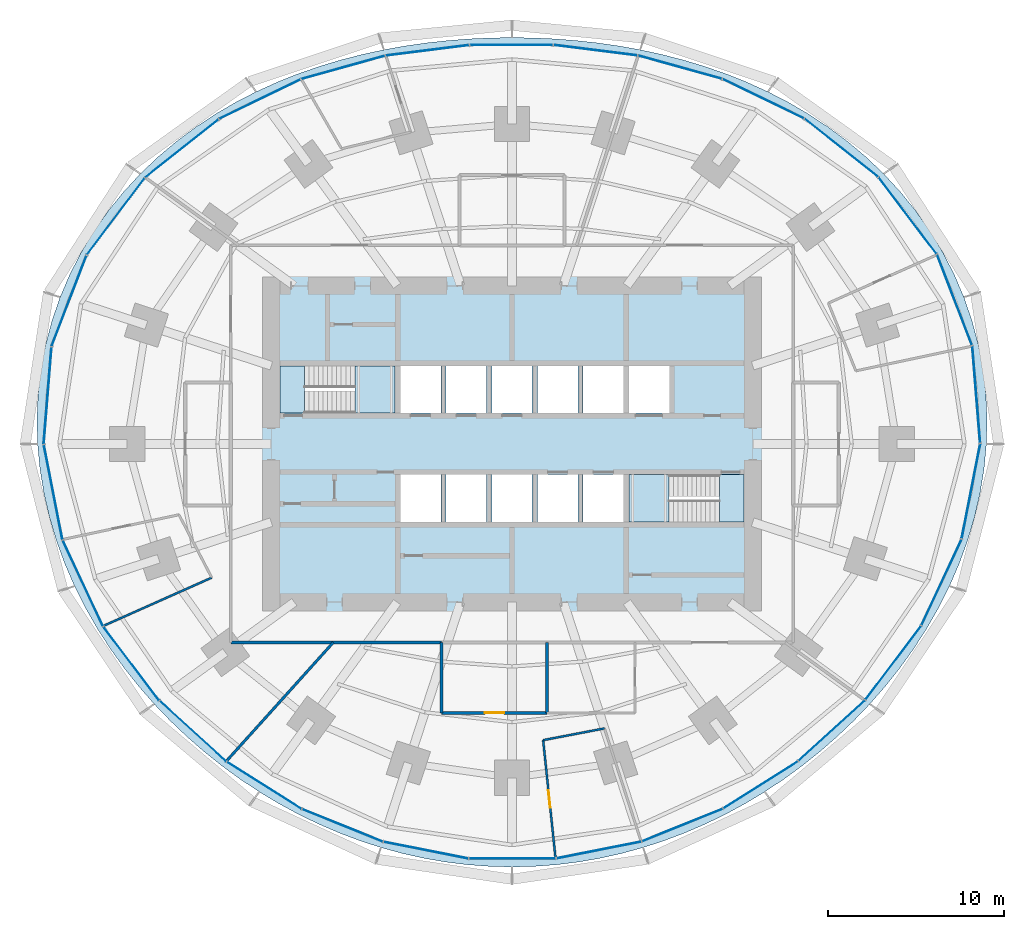
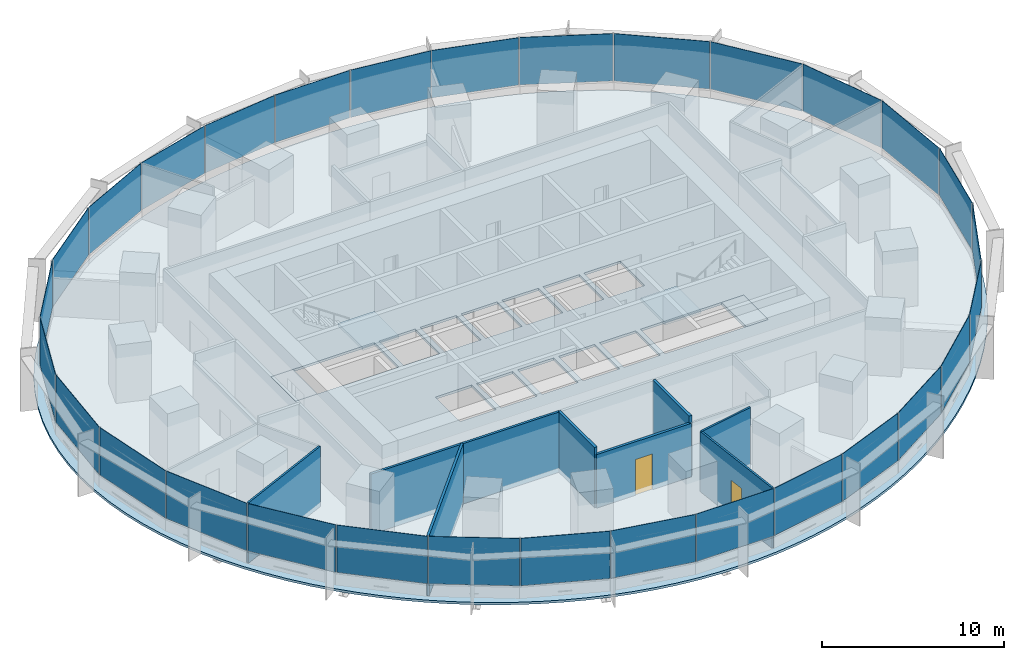
# One storey, part 10 of 15: 30 plates, 8 walls, 5 slabs, 2 doors, 2 openings, 8 elements without a shape of their own.
"""IFC4 building model written with IfcOpenShell, lengths in metres."""

from ifc_helpers import new_model, si_unit, direction, frame, frame_2d, origin, origin_2d, place, context, subcontext, project, spatial, polyline, rectangle, outline, extrude, material, layer, layer_set, type_object, element, fill, aggregate, save


model = new_model("IFC4")

# Units and contexts
model_context = context("Model", 3, precision=1e-05, world=origin(), true_north=direction((0.0, 1.0)))
body_context = subcontext(model_context, "Body", "Model", "MODEL_VIEW")
ifc_project = project(units=[si_unit("LENGTHUNIT", "METRE"), si_unit("AREAUNIT", "SQUARE_METRE"), si_unit("VOLUMEUNIT", "CUBIC_METRE"), si_unit("PLANEANGLEUNIT", "RADIAN"), si_unit("MASSUNIT", "GRAM", prefix="KILO")], contexts=[model_context])

# Site, building, storey
site_placement = place(None, origin())
site = spatial("IfcSite", under=ifc_project, at=site_placement, CompositionType="ELEMENT")
building_placement = place(site_placement, origin())
building = spatial("IfcBuilding", under=site, at=building_placement, Name="Marramba Exchange Tower", CompositionType="ELEMENT")
storey_placement = place(building_placement, frame((0.0, 0.0, 70.0)))
storey = spatial("IfcBuildingStorey", under=building, at=storey_placement, Name="L16", CompositionType="ELEMENT", Elevation=70.0)

# Slab
ifc_material_1 = material(Name="Concrete N40", Category="concrete")
ifc_layer_1 = layer(ifc_material_1, 0.159912109375)
ifc_layer_set_1 = layer_set([ifc_layer_1], Name="Composite floor slab 160")
slab_type_1 = type_object("IfcSlabType", Name="Composite floor slab 160", PredefinedType="FLOOR", material=ifc_layer_set_1)
slab_1_placement = place(storey_placement, frame((0.0, 0.0, -0.159912109375)))
element("IfcSlab", 1, at=slab_1_placement, inside=storey, type_object=slab_type_1, Name="Floor slab L16", PredefinedType="FLOOR", context=body_context, shape_type="SweptSolid", body=[
    extrude(outline(polyline([(27.0, 0.0), (27.035888671875, 1.4169921875), (26.97265625, 2.8349609375), (26.80859375, 4.24609375), (26.5439453125, 5.64208984375), (26.179443359375, 7.0146484375), (25.717529296875, 8.356201171875), (25.16162109375, 9.65869140625), (24.516357421875, 10.915283203125), (23.786865234375, 12.1201171875), (22.9794921875, 13.267333984375), (22.10107421875, 14.3525390625), (21.158447265625, 15.37255859375), (20.159423828125, 16.32470703125), (19.11083984375, 17.20751953125), (18.020263671875, 18.020263671875), (16.89453125, 18.763427734375), (15.740478515625, 19.437744140625), (14.563720703125, 20.04541015625), (13.3701171875, 20.588134765625), (12.164306640625, 21.069091796875), (10.9501953125, 21.4912109375), (9.7314453125, 21.857421875), (8.5107421875, 22.1708984375), (7.289794921875, 22.435302734375), (6.06982421875, 22.6533203125), (4.85205078125, 22.827392578125), (3.636474609375, 22.96044921875), (2.423095703125, 23.053955078125), (1.211181640625, 23.109619140625), (0.0, 23.1279296875), (-1.211181640625, 23.109619140625), (-2.423095703125, 23.053955078125), (-3.636474609375, 22.96044921875), (-4.85205078125, 22.827392578125), (-6.06982421875, 22.6533203125), (-7.289794921875, 22.435302734375), (-8.5107421875, 22.1708984375), (-9.7314453125, 21.857421875), (-10.9501953125, 21.4912109375), (-12.164306640625, 21.069091796875), (-13.3701171875, 20.588134765625), (-14.563720703125, 20.04541015625), (-15.740478515625, 19.437744140625), (-16.89453125, 18.763427734375), (-18.020263671875, 18.020263671875), (-19.11083984375, 17.20751953125), (-20.159423828125, 16.32470703125), (-21.158447265625, 15.37255859375), (-22.10107421875, 14.3525390625), (-22.9794921875, 13.267333984375), (-23.786865234375, 12.1201171875), (-24.516357421875, 10.915283203125), (-25.16162109375, 9.65869140625), (-25.717529296875, 8.356201171875), (-26.179443359375, 7.0146484375), (-26.5439453125, 5.64208984375), (-26.80859375, 4.24609375), (-26.97265625, 2.8349609375), (-27.035888671875, 1.4169921875), (-27.0, 0.0), (-26.8671875, -1.407958984375), (-26.64111328125, -2.800048828125), (-26.326171875, -4.169677734375), (-25.927001953125, -5.510986328125), (-25.44921875, -6.819091796875), (-24.8984375, -8.090087890625), (-24.280517578125, -9.320556640625), (-23.60107421875, -10.5078125), (-22.865234375, -11.650390625), (-22.078369140625, -12.7470703125), (-21.244873046875, -13.796630859375), (-20.36865234375, -14.798583984375), (-19.453369140625, -15.753173828125), (-18.502197265625, -16.659423828125), (-17.517578125, -17.517578125), (-16.501953125, -18.327392578125), (-15.457275390625, -19.088134765625), (-14.385009765625, -19.799072265625), (-13.286865234375, -20.459716796875), (-12.164306640625, -21.069091796875), (-11.01904296875, -21.6259765625), (-9.8525390625, -22.129150390625), (-8.66650390625, -22.577392578125), (-7.463134765625, -22.968994140625), (-6.244140625, -23.30322265625), (-5.01171875, -23.578369140625), (-3.7685546875, -23.793701171875), (-2.51708984375, -23.947998046875), (-1.260009765625, -24.041015625), (0.0, -24.072021484375), (1.260009765625, -24.041015625), (2.51708984375, -23.947998046875), (3.7685546875, -23.793701171875), (5.01171875, -23.578369140625), (6.244140625, -23.30322265625), (7.463134765625, -22.968994140625), (8.66650390625, -22.577392578125), (9.8525390625, -22.129150390625), (11.01904296875, -21.6259765625), (12.164306640625, -21.069091796875), (13.286865234375, -20.459716796875), (14.385009765625, -19.799072265625), (15.457275390625, -19.088134765625), (16.501953125, -18.327392578125), (17.517578125, -17.517578125), (18.502197265625, -16.659423828125), (19.453369140625, -15.753173828125), (20.36865234375, -14.798583984375), (21.244873046875, -13.796630859375), (22.078369140625, -12.7470703125), (22.865234375, -11.650390625), (23.60107421875, -10.5078125), (24.280517578125, -9.320556640625), (24.8984375, -8.090087890625), (25.44921875, -6.819091796875), (25.927001953125, -5.510986328125), (26.326171875, -4.169677734375), (26.64111328125, -2.800048828125), (26.8671875, -1.407958984375), (27.0, 0.0)]), holes=[polyline([(-6.35009765625, 1.75), (-4.050048828125, 1.75), (-4.050048828125, 4.449951171875), (-6.35009765625, 4.449951171875), (-6.35009765625, 1.75)]), polyline([(-3.75, 1.75), (-1.449951171875, 1.75), (-1.449951171875, 4.449951171875), (-3.75, 4.449951171875), (-3.75, 1.75)]), polyline([(-1.14990234375, 1.75), (1.14990234375, 1.75), (1.14990234375, 4.449951171875), (-1.14990234375, 4.449951171875), (-1.14990234375, 1.75)]), polyline([(1.449951171875, 1.75), (3.75, 1.75), (3.75, 4.449951171875), (1.449951171875, 4.449951171875), (1.449951171875, 1.75)]), polyline([(4.050048828125, 1.75), (6.35009765625, 1.75), (6.35009765625, 4.449951171875), (4.050048828125, 4.449951171875), (4.050048828125, 1.75)]), polyline([(-6.35009765625, -4.449951171875), (-4.050048828125, -4.449951171875), (-4.050048828125, -1.75), (-6.35009765625, -1.75), (-6.35009765625, -4.449951171875)]), polyline([(-3.75, -4.449951171875), (-1.449951171875, -4.449951171875), (-1.449951171875, -1.75), (-3.75, -1.75), (-3.75, -4.449951171875)]), polyline([(-1.14990234375, -4.449951171875), (1.14990234375, -4.449951171875), (1.14990234375, -1.75), (-1.14990234375, -1.75), (-1.14990234375, -4.449951171875)]), polyline([(1.449951171875, -4.449951171875), (3.75, -4.449951171875), (3.75, -1.75), (1.449951171875, -1.75), (1.449951171875, -4.449951171875)]), polyline([(4.050048828125, -4.449951171875), (6.35009765625, -4.449951171875), (6.35009765625, -1.75), (4.050048828125, -1.75), (4.050048828125, -4.449951171875)]), polyline([(6.64990234375, 1.75), (8.949951171875, 1.75), (8.949951171875, 4.449951171875), (6.64990234375, 4.449951171875), (6.64990234375, 1.75)]), polyline([(-13.199951171875, 1.75), (-6.64990234375, 1.75), (-6.64990234375, 4.449951171875), (-13.199951171875, 4.449951171875), (-13.199951171875, 1.75)]), polyline([(6.64990234375, -4.449951171875), (13.199951171875, -4.449951171875), (13.199951171875, -1.75), (6.64990234375, -1.75), (6.64990234375, -4.449951171875)])]), origin(), (0.0, 0.0, 1.0), 0.159912109375),
])

# Stair, slabs
ifc_material_2 = material(Name="Concrete N40 (40 MPa)", Category="concrete")
stair_type_1 = type_object("IfcStairType", Name="Exit stair ST1 4200 x 1250", PredefinedType="HALF_TURN_STAIR", material=ifc_material_2)
stair_1_placement = place(storey_placement, origin())
stair_1 = element("IfcStair", 2, at=stair_1_placement, inside=storey, type_object=stair_type_1, Name="Exit stair ST1 L16", PredefinedType="HALF_TURN_STAIR")
ifc_layer_2 = layer(ifc_material_2, 0.199951171875)
ifc_layer_set_2 = layer_set([ifc_layer_2], Name="Stair landing 200")
slab_type_2 = type_object("IfcSlabType", Name="Stair landing 200", PredefinedType="LANDING", material=ifc_layer_set_2)
slab_2_placement = place(storey_placement, frame((0.0, 0.0, -0.199951171875)))
slab_2 = element("IfcSlab", 3, at=slab_2_placement, type_object=slab_type_2, Name="ST1 landing 1", PredefinedType="LANDING", context=body_context, shape_type="SweptSolid", body=[
    extrude(outline(polyline([(-13.199951171875, 1.75), (-11.800048828125, 1.75), (-11.800048828125, 4.449951171875), (-13.199951171875, 4.449951171875), (-13.199951171875, 1.75)])), origin(), (0.0, 0.0, 1.0), 0.199951171875),
])
slab_3_placement = place(storey_placement, frame((0.0, 0.0, 1.89990234375)))
slab_3 = element("IfcSlab", 4, at=slab_3_placement, type_object=slab_type_2, Name="ST1 landing 2", PredefinedType="LANDING", context=body_context, shape_type="SweptSolid", body=[
    extrude(outline(polyline([(-8.93994140625, 1.75), (-6.64990234375, 1.75), (-6.64990234375, 4.449951171875), (-8.93994140625, 4.449951171875), (-8.93994140625, 1.75)])), origin(), (0.0, 0.0, 1.0), 0.2001953125),
])
aggregate(stair_1, [slab_2, slab_3])

stair_type_2 = type_object("IfcStairType", Name="Exit stair ST2 4200 x 1250", PredefinedType="HALF_TURN_STAIR", material=ifc_material_2)
stair_2_placement = place(storey_placement, origin())
stair_2 = element("IfcStair", 5, at=stair_2_placement, inside=storey, type_object=stair_type_2, Name="Exit stair ST2 L16", PredefinedType="HALF_TURN_STAIR")
slab_4_placement = place(storey_placement, frame((0.0, 0.0, -0.199951171875)))
slab_4 = element("IfcSlab", 6, at=slab_4_placement, type_object=slab_type_2, Name="ST2 landing 1", PredefinedType="LANDING", context=body_context, shape_type="SweptSolid", body=[
    extrude(outline(polyline([(11.800048828125, -4.449951171875), (13.199951171875, -4.449951171875), (13.199951171875, -1.75), (11.800048828125, -1.75), (11.800048828125, -4.449951171875)])), origin(), (0.0, 0.0, 1.0), 0.199951171875),
])
slab_5_placement = place(storey_placement, frame((0.0, 0.0, 1.89990234375)))
slab_5 = element("IfcSlab", 7, at=slab_5_placement, type_object=slab_type_2, Name="ST2 landing 2", PredefinedType="LANDING", context=body_context, shape_type="SweptSolid", body=[
    extrude(outline(polyline([(6.64990234375, -4.449951171875), (8.93994140625, -4.449951171875), (8.93994140625, -1.75), (6.64990234375, -1.75), (6.64990234375, -4.449951171875)])), origin(), (0.0, 0.0, 1.0), 0.2001953125),
])
aggregate(stair_2, [slab_4, slab_5])

# Curtain wall, plates
ifc_material_3 = material(Name="Aluminium framing, bronze anodised", Category="aluminium")
curtain_wall_type = type_object("IfcCurtainWallType", Name="Trading floor ribbon curtain wall", PredefinedType="USERDEFINED", material=ifc_material_3)
curtain_wall_1_placement = place(storey_placement, origin())
curtain_wall_1 = element("IfcCurtainWall", 8, at=curtain_wall_1_placement, inside=storey, type_object=curtain_wall_type, Name="Curtain wall CW3 L16 F01-F05", ObjectType="RIBBON CURTAIN WALL", PredefinedType="USERDEFINED")
ifc_material_4 = material(Name="Double glazed unit 10 + 12 + 8.76, bronze tinted", Category="glass")
ifc_layer_3 = layer(ifc_material_4, 0.03076171875)
ifc_layer_set_3 = layer_set([ifc_layer_3], Name="Trading floor ribbon curtain wall panel")
plate_type = type_object("IfcPlateType", Name="Trading floor ribbon curtain wall panel", PredefinedType="CURTAIN_PANEL", material=ifc_layer_set_3)
plate_1_placement = place(storey_placement, frame((26.42333984375, 2.814453125, 0.85986328125), z_axis=(0.0, 0.0, 1.0), x_axis=(-0.080275225953, 0.996772736434, 0.0)))
plate_1 = element("IfcPlate", 9, at=plate_1_placement, type_object=plate_type, Name="CW3 vision panel", PredefinedType="CURTAIN_PANEL", context=body_context, shape_type="SweptSolid", body=[
    extrude(rectangle(XDim=5.52734375, YDim=0.03076171875, at=origin_2d()), origin(), (0.0, 0.0, 1.0), 3.179931640625),
])
plate_2_placement = place(storey_placement, frame((25.188232421875, 8.19921875, 0.85986328125), z_axis=(0.0, 0.0, 1.0), x_axis=(-0.359525510698, 0.933135256626, 0.0)))
plate_2 = element("IfcPlate", 10, at=plate_2_placement, type_object=plate_type, Name="CW3 vision panel", PredefinedType="CURTAIN_PANEL", context=body_context, shape_type="SweptSolid", body=[
    extrude(rectangle(XDim=5.5166015625, YDim=0.03076171875, at=origin_2d()), origin(), (0.0, 0.0, 1.0), 3.179931640625),
])
plate_3_placement = place(storey_placement, frame((22.517822265625, 12.993896484375, 0.85986328125), z_axis=(0.0, 0.0, 1.0), x_axis=(-0.602989765036, 0.797748922445, 0.0)))
plate_3 = element("IfcPlate", 11, at=plate_3_placement, type_object=plate_type, Name="CW3 vision panel", PredefinedType="CURTAIN_PANEL", context=body_context, shape_type="SweptSolid", body=[
    extrude(rectangle(XDim=5.44775390625, YDim=0.03076171875, at=origin_2d()), origin(), (0.0, 0.0, 1.0), 3.179931640625),
])
plate_4_placement = place(storey_placement, frame((18.744384765625, 16.853759765625, 0.85986328125), z_axis=(0.0, 0.0, 1.0), x_axis=(-0.784087949432, 0.620649730166, 0.0)))
plate_4 = element("IfcPlate", 12, at=plate_4_placement, type_object=plate_type, Name="CW3 vision panel", PredefinedType="CURTAIN_PANEL", context=body_context, shape_type="SweptSolid", body=[
    extrude(rectangle(XDim=5.315673828125, YDim=0.03076171875, at=origin_2d()), origin(), (0.0, 0.0, 1.0), 3.179931640625),
])
plate_5_placement = place(storey_placement, frame((14.2978515625, 19.647705078125, 0.85986328125), z_axis=(0.0, 0.0, 1.0), x_axis=(-0.899963433508, 0.43596538664, 0.0)))
plate_5 = element("IfcPlate", 13, at=plate_5_placement, type_object=plate_type, Name="CW3 vision panel", PredefinedType="CURTAIN_PANEL", context=body_context, shape_type="SweptSolid", body=[
    extrude(rectangle(XDim=5.13037109375, YDim=0.03076171875, at=origin_2d()), origin(), (0.0, 0.0, 1.0), 3.179931640625),
])
aggregate(curtain_wall_1, [plate_1, plate_2, plate_3, plate_4, plate_5])

curtain_wall_2_placement = place(storey_placement, origin())
curtain_wall_2 = element("IfcCurtainWall", 14, at=curtain_wall_2_placement, inside=storey, type_object=curtain_wall_type, Name="Curtain wall CW3 L16 F06-F10", ObjectType="RIBBON CURTAIN WALL", PredefinedType="USERDEFINED")
plate_6_placement = place(storey_placement, frame((9.556396484375, 21.4423828125, 0.85986328125), z_axis=(0.0, 0.0, 1.0), x_axis=(-0.963472096649, 0.267808735815, 0.0)))
plate_6 = element("IfcPlate", 15, at=plate_6_placement, type_object=plate_type, Name="CW3 vision panel", PredefinedType="CURTAIN_PANEL", context=body_context, shape_type="SweptSolid", body=[
    extrude(rectangle(XDim=4.929931640625, YDim=0.03076171875, at=origin_2d()), origin(), (0.0, 0.0, 1.0), 3.179931640625),
])
plate_7_placement = place(storey_placement, frame((4.754150390625, 22.407958984375, 0.85986328125), z_axis=(0.0, 0.0, 1.0), x_axis=(-0.992172768738, 0.124872723099, 0.0)))
plate_7 = element("IfcPlate", 16, at=plate_7_placement, type_object=plate_type, Name="CW3 vision panel", PredefinedType="CURTAIN_PANEL", context=body_context, shape_type="SweptSolid", body=[
    extrude(rectangle(XDim=4.77294921875, YDim=0.03076171875, at=origin_2d()), origin(), (0.0, 0.0, 1.0), 3.179931640625),
])
plate_8_placement = place(storey_placement, frame((-0.030029296875, 22.7060546875, 0.85986328125), z_axis=(0.0, 0.0, 1.0), x_axis=(-1.0, 0.0, 0.0)))
plate_8 = element("IfcPlate", 17, at=plate_8_placement, type_object=plate_type, Name="CW3 vision panel", PredefinedType="CURTAIN_PANEL", context=body_context, shape_type="SweptSolid", body=[
    extrude(rectangle(XDim=4.712890625, YDim=0.03076171875, at=origin_2d()), origin(), (0.0, 0.0, 1.0), 3.179931640625),
])
plate_9_placement = place(storey_placement, frame((-4.813720703125, 22.400390625, 0.85986328125), z_axis=(0.0, 0.0, 1.0), x_axis=(-0.992172768738, -0.124872723099, 0.0)))
plate_9 = element("IfcPlate", 18, at=plate_9_placement, type_object=plate_type, Name="CW3 vision panel", PredefinedType="CURTAIN_PANEL", context=body_context, shape_type="SweptSolid", body=[
    extrude(rectangle(XDim=4.77294921875, YDim=0.03076171875, at=origin_2d()), origin(), (0.0, 0.0, 1.0), 3.179931640625),
])
plate_10_placement = place(storey_placement, frame((-9.6142578125, 21.42626953125, 0.85986328125), z_axis=(0.0, 0.0, 1.0), x_axis=(-0.963472096649, -0.267808735815, 0.0)))
plate_10 = element("IfcPlate", 19, at=plate_10_placement, type_object=plate_type, Name="CW3 vision panel", PredefinedType="CURTAIN_PANEL", context=body_context, shape_type="SweptSolid", body=[
    extrude(rectangle(XDim=4.929931640625, YDim=0.03076171875, at=origin_2d()), origin(), (0.0, 0.0, 1.0), 3.179931640625),
])
aggregate(curtain_wall_2, [plate_6, plate_7, plate_8, plate_9, plate_10])

curtain_wall_3_placement = place(storey_placement, origin())
curtain_wall_3 = element("IfcCurtainWall", 20, at=curtain_wall_3_placement, inside=storey, type_object=curtain_wall_type, Name="Curtain wall CW3 L16 F11-F15", ObjectType="RIBBON CURTAIN WALL", PredefinedType="USERDEFINED")
plate_11_placement = place(storey_placement, frame((-14.351806640625, 19.62158203125, 0.85986328125), z_axis=(0.0, 0.0, 1.0), x_axis=(-0.899963433508, -0.43596538664, 0.0)))
plate_11 = element("IfcPlate", 21, at=plate_11_placement, type_object=plate_type, Name="CW3 vision panel", PredefinedType="CURTAIN_PANEL", context=body_context, shape_type="SweptSolid", body=[
    extrude(rectangle(XDim=5.13037109375, YDim=0.03076171875, at=origin_2d()), origin(), (0.0, 0.0, 1.0), 3.179931640625),
])
plate_12_placement = place(storey_placement, frame((-18.79150390625, 16.81640625, 0.85986328125), z_axis=(0.0, 0.0, 1.0), x_axis=(-0.784087949432, -0.620649730166, 0.0)))
plate_12 = element("IfcPlate", 22, at=plate_12_placement, type_object=plate_type, Name="CW3 vision panel", PredefinedType="CURTAIN_PANEL", context=body_context, shape_type="SweptSolid", body=[
    extrude(rectangle(XDim=5.315673828125, YDim=0.03076171875, at=origin_2d()), origin(), (0.0, 0.0, 1.0), 3.179931640625),
])
plate_13_placement = place(storey_placement, frame((-22.553955078125, 12.946044921875, 0.85986328125), z_axis=(0.0, 0.0, 1.0), x_axis=(-0.602989765036, -0.797748922445, 0.0)))
plate_13 = element("IfcPlate", 23, at=plate_13_placement, type_object=plate_type, Name="CW3 vision panel", PredefinedType="CURTAIN_PANEL", context=body_context, shape_type="SweptSolid", body=[
    extrude(rectangle(XDim=5.44775390625, YDim=0.03076171875, at=origin_2d()), origin(), (0.0, 0.0, 1.0), 3.179931640625),
])
plate_14_placement = place(storey_placement, frame((-25.209716796875, 8.14306640625, 0.85986328125), z_axis=(0.0, 0.0, 1.0), x_axis=(-0.359525510698, -0.933135256626, 0.0)))
plate_14 = element("IfcPlate", 24, at=plate_14_placement, type_object=plate_type, Name="CW3 vision panel", PredefinedType="CURTAIN_PANEL", context=body_context, shape_type="SweptSolid", body=[
    extrude(rectangle(XDim=5.5166015625, YDim=0.03076171875, at=origin_2d()), origin(), (0.0, 0.0, 1.0), 3.179931640625),
])
plate_15_placement = place(storey_placement, frame((-26.42822265625, 2.754638671875, 0.85986328125), z_axis=(0.0, 0.0, 1.0), x_axis=(-0.080275225953, -0.996772736434, 0.0)))
plate_15 = element("IfcPlate", 25, at=plate_15_placement, type_object=plate_type, Name="CW3 vision panel", PredefinedType="CURTAIN_PANEL", context=body_context, shape_type="SweptSolid", body=[
    extrude(rectangle(XDim=5.52734375, YDim=0.03076171875, at=origin_2d()), origin(), (0.0, 0.0, 1.0), 3.179931640625),
])
aggregate(curtain_wall_3, [plate_11, plate_12, plate_13, plate_14, plate_15])

curtain_wall_4_placement = place(storey_placement, origin())
curtain_wall_4 = element("IfcCurtainWall", 26, at=curtain_wall_4_placement, inside=storey, type_object=curtain_wall_type, Name="Curtain wall CW3 L16 F16-F20", ObjectType="RIBBON CURTAIN WALL", PredefinedType="USERDEFINED")
plate_16_placement = place(storey_placement, frame((-26.111572265625, -2.74853515625, 0.85986328125), z_axis=(0.0, 0.0, 1.0), x_axis=(0.1922485756, -0.981346261612, 0.0)))
plate_16 = element("IfcPlate", 27, at=plate_16_placement, type_object=plate_type, Name="CW3 vision panel", PredefinedType="CURTAIN_PANEL", context=body_context, shape_type="SweptSolid", body=[
    extrude(rectangle(XDim=5.4814453125, YDim=0.03076171875, at=origin_2d()), origin(), (0.0, 0.0, 1.0), 3.179931640625),
])
plate_17_placement = place(storey_placement, frame((-24.420166015625, -7.928955078125, 0.85986328125), z_axis=(0.0, 0.0, 1.0), x_axis=(0.423477206492, -0.905906758768, 0.0)))
plate_17 = element("IfcPlate", 28, at=plate_17_placement, type_object=plate_type, Name="CW3 vision panel", PredefinedType="CURTAIN_PANEL", context=body_context, shape_type="SweptSolid", body=[
    extrude(rectangle(XDim=5.379150390625, YDim=0.03076171875, at=origin_2d()), origin(), (0.0, 0.0, 1.0), 3.179931640625),
])
plate_18_placement = place(storey_placement, frame((-21.665283203125, -12.503173828125, 0.85986328125), z_axis=(0.0, 0.0, 1.0), x_axis=(0.603040473588, -0.797710591138, 0.0)))
plate_18 = element("IfcPlate", 29, at=plate_18_placement, type_object=plate_type, Name="CW3 vision panel", PredefinedType="CURTAIN_PANEL", context=body_context, shape_type="SweptSolid", body=[
    extrude(rectangle(XDim=5.239501953125, YDim=0.03076171875, at=origin_2d()), origin(), (0.0, 0.0, 1.0), 3.179931640625),
])
plate_19_placement = place(storey_placement, frame((-18.154541015625, -16.350341796875, 0.85986328125), z_axis=(0.0, 0.0, 1.0), x_axis=(0.739589581463, -0.673058133441, 0.0)))
plate_19 = element("IfcPlate", 30, at=plate_19_placement, type_object=plate_type, Name="CW3 vision panel", PredefinedType="CURTAIN_PANEL", context=body_context, shape_type="SweptSolid", body=[
    extrude(rectangle(XDim=5.101806640625, YDim=0.03076171875, at=origin_2d()), origin(), (0.0, 0.0, 1.0), 3.179931640625),
])
plate_20_placement = place(storey_placement, frame((-14.103271484375, -19.4326171875, 0.85986328125), z_axis=(0.0, 0.0, 1.0), x_axis=(0.845790826298, -0.533514646612, 0.0)))
plate_20 = element("IfcPlate", 31, at=plate_20_placement, type_object=plate_type, Name="CW3 vision panel", PredefinedType="CURTAIN_PANEL", context=body_context, shape_type="SweptSolid", body=[
    extrude(rectangle(XDim=4.99853515625, YDim=0.03076171875, at=origin_2d()), origin(), (0.0, 0.0, 1.0), 3.179931640625),
])
aggregate(curtain_wall_4, [plate_16, plate_17, plate_18, plate_19, plate_20])

curtain_wall_5_placement = place(storey_placement, origin())
curtain_wall_5 = element("IfcCurtainWall", 32, at=curtain_wall_5_placement, inside=storey, type_object=curtain_wall_type, Name="Curtain wall CW3 L16 F21-F25", ObjectType="RIBBON CURTAIN WALL", PredefinedType="USERDEFINED")
plate_21_placement = place(storey_placement, frame((-9.644287109375, -21.71240234375, 0.85986328125), z_axis=(0.0, 0.0, 1.0), x_axis=(0.927340673283, -0.374218219325, 0.0)))
plate_21 = element("IfcPlate", 33, at=plate_21_placement, type_object=plate_type, Name="CW3 vision panel", PredefinedType="CURTAIN_PANEL", context=body_context, shape_type="SweptSolid", body=[
    extrude(rectangle(XDim=4.9375, YDim=0.03076171875, at=origin_2d()), origin(), (0.0, 0.0, 1.0), 3.179931640625),
])
plate_22_placement = place(storey_placement, frame((-4.88818359375, -23.1240234375, 0.85986328125), z_axis=(0.0, 0.0, 1.0), x_axis=(0.98100920064, -0.193961202977, 0.0)))
plate_22 = element("IfcPlate", 34, at=plate_22_placement, type_object=plate_type, Name="CW3 vision panel", PredefinedType="CURTAIN_PANEL", context=body_context, shape_type="SweptSolid", body=[
    extrude(rectangle(XDim=4.908935546875, YDim=0.03076171875, at=origin_2d()), origin(), (0.0, 0.0, 1.0), 3.179931640625),
])
plate_23_placement = place(storey_placement, frame((0.030029296875, -23.599853515625, 0.85986328125), z_axis=(0.0, 0.0, 1.0), x_axis=(1.0, 0.0, 0.0)))
plate_23 = element("IfcPlate", 35, at=plate_23_placement, type_object=plate_type, Name="CW3 vision panel", PredefinedType="CURTAIN_PANEL", context=body_context, shape_type="SweptSolid", body=[
    extrude(rectangle(XDim=4.90087890625, YDim=0.03076171875, at=origin_2d()), origin(), (0.0, 0.0, 1.0), 3.179931640625),
])
plate_24_placement = place(storey_placement, frame((4.947021484375, -23.1123046875, 0.85986328125), z_axis=(0.0, 0.0, 1.0), x_axis=(0.98100920064, 0.193961202977, 0.0)))
plate_24 = element("IfcPlate", 36, at=plate_24_placement, type_object=plate_type, Name="CW3 vision panel", PredefinedType="CURTAIN_PANEL", context=body_context, shape_type="SweptSolid", body=[
    extrude(rectangle(XDim=4.908935546875, YDim=0.03076171875, at=origin_2d()), origin(), (0.0, 0.0, 1.0), 3.179931640625),
])
plate_25_placement = place(storey_placement, frame((9.699951171875, -21.68994140625, 0.85986328125), z_axis=(0.0, 0.0, 1.0), x_axis=(0.927340673283, 0.374218219325, 0.0)))
plate_25 = element("IfcPlate", 37, at=plate_25_placement, type_object=plate_type, Name="CW3 vision panel", PredefinedType="CURTAIN_PANEL", context=body_context, shape_type="SweptSolid", body=[
    extrude(rectangle(XDim=4.9375, YDim=0.03076171875, at=origin_2d()), origin(), (0.0, 0.0, 1.0), 3.179931640625),
])
aggregate(curtain_wall_5, [plate_21, plate_22, plate_23, plate_24, plate_25])

curtain_wall_6_placement = place(storey_placement, origin())
curtain_wall_6 = element("IfcCurtainWall", 38, at=curtain_wall_6_placement, inside=storey, type_object=curtain_wall_type, Name="Curtain wall CW3 L16 F26-F30", ObjectType="RIBBON CURTAIN WALL", PredefinedType="USERDEFINED")
plate_26_placement = place(storey_placement, frame((14.15380859375, -19.400634765625, 0.85986328125), z_axis=(0.0, 0.0, 1.0), x_axis=(0.845790826298, 0.533514646612, 0.0)))
plate_26 = element("IfcPlate", 39, at=plate_26_placement, type_object=plate_type, Name="CW3 vision panel", PredefinedType="CURTAIN_PANEL", context=body_context, shape_type="SweptSolid", body=[
    extrude(rectangle(XDim=4.99853515625, YDim=0.03076171875, at=origin_2d()), origin(), (0.0, 0.0, 1.0), 3.179931640625),
])
plate_27_placement = place(storey_placement, frame((18.19873046875, -16.309814453125, 0.85986328125), z_axis=(0.0, 0.0, 1.0), x_axis=(0.739589581463, 0.673058133441, 0.0)))
plate_27 = element("IfcPlate", 40, at=plate_27_placement, type_object=plate_type, Name="CW3 vision panel", PredefinedType="CURTAIN_PANEL", context=body_context, shape_type="SweptSolid", body=[
    extrude(rectangle(XDim=5.101806640625, YDim=0.03076171875, at=origin_2d()), origin(), (0.0, 0.0, 1.0), 3.179931640625),
])
plate_28_placement = place(storey_placement, frame((21.701416015625, -12.455322265625, 0.85986328125), z_axis=(0.0, 0.0, 1.0), x_axis=(0.603040473588, 0.797710591138, 0.0)))
plate_28 = element("IfcPlate", 41, at=plate_28_placement, type_object=plate_type, Name="CW3 vision panel", PredefinedType="CURTAIN_PANEL", context=body_context, shape_type="SweptSolid", body=[
    extrude(rectangle(XDim=5.239501953125, YDim=0.03076171875, at=origin_2d()), origin(), (0.0, 0.0, 1.0), 3.179931640625),
])
plate_29_placement = place(storey_placement, frame((24.44580078125, -7.874755859375, 0.85986328125), z_axis=(0.0, 0.0, 1.0), x_axis=(0.423477206492, 0.905906758768, 0.0)))
plate_29 = element("IfcPlate", 42, at=plate_29_placement, type_object=plate_type, Name="CW3 vision panel", PredefinedType="CURTAIN_PANEL", context=body_context, shape_type="SweptSolid", body=[
    extrude(rectangle(XDim=5.379150390625, YDim=0.03076171875, at=origin_2d()), origin(), (0.0, 0.0, 1.0), 3.179931640625),
])
plate_30_placement = place(storey_placement, frame((26.123046875, -2.689697265625, 0.85986328125), z_axis=(0.0, 0.0, 1.0), x_axis=(0.1922485756, 0.981346261612, 0.0)))
plate_30 = element("IfcPlate", 43, at=plate_30_placement, type_object=plate_type, Name="CW3 vision panel", PredefinedType="CURTAIN_PANEL", context=body_context, shape_type="SweptSolid", body=[
    extrude(rectangle(XDim=5.4814453125, YDim=0.03076171875, at=origin_2d()), origin(), (0.0, 0.0, 1.0), 3.179931640625),
])
aggregate(curtain_wall_6, [plate_26, plate_27, plate_28, plate_29, plate_30])

# Wall
ifc_material_5 = material(Name="Plasterboard on staggered double steel studs, acoustic insulation", Category="steel")
ifc_layer_4 = layer(ifc_material_5, 0.169921875)
ifc_layer_set_4 = layer_set([ifc_layer_4], Name="Acoustic partition 170")
wall_type_1 = type_object("IfcWallType", Name="Acoustic partition 170", PredefinedType="PARTITIONING", material=ifc_layer_set_4)
wall_1_placement = place(storey_placement, frame((-4.0, -11.300048828125, 0.0), z_axis=(0.0, 0.0, 1.0), x_axis=(0.0, -1.0, 0.0)))
element("IfcWall", 44, at=wall_1_placement, inside=storey, type_object=wall_type_1, Name="Acoustic partition L16 08", PredefinedType="PARTITIONING", context=body_context, shape_type="SweptSolid", body=[
    extrude(rectangle(XDim=4.0, YDim=0.169921875, at=frame_2d((2.0, 0.0))), origin(), (0.0, 0.0, 1.0), 4.0400390625),
])

# Wall, opening, door
wall_2_placement = place(storey_placement, frame((-4.0, -15.300048828125, 0.0), z_axis=(0.0, 0.0, 1.0), x_axis=(1.0, 0.0, 0.0)))
wall_2 = element("IfcWall", 45, at=wall_2_placement, inside=storey, type_object=wall_type_1, Name="Acoustic partition L16 10", PredefinedType="PARTITIONING", context=body_context, shape_type="SweptSolid", body=[
    extrude(rectangle(XDim=6.0, YDim=0.169921875, at=frame_2d((3.0, 0.0))), origin(), (0.0, 0.0, 1.0), 3.5859375),
])
opening_1_placement = place(wall_2_placement, frame((2.449951171875, 0.0, 0.0)))
opening_1 = element("IfcOpeningElement", 46, at=opening_1_placement, cuts=wall_2, Name="Opening D15", PredefinedType="OPENING", context=body_context, shape_type="SweptSolid", body=[
    extrude(rectangle(XDim=1.10009765625, YDim=2.39990234375, at=frame_2d((0.550048828125, 1.199951171875))), frame((0.0, 0.094970703125, 0.0), z_axis=(0.0, -1.0, 0.0), x_axis=(1.0, 0.0, 0.0)), (0.0, 0.0, 1.0), 0.18994140625),
])
ifc_material_6 = material(Name="Timber door", Category="wood")
door_type_1 = type_object("IfcDoorType", Name="Glazed meeting room door 1100x2400", OperationType="SINGLE_SWING_LEFT", PredefinedType="DOOR", material=ifc_material_6)
door_1_placement = place(opening_1_placement, origin())
door_1 = element("IfcDoor", 47, at=door_1_placement, inside=storey, type_object=door_type_1, Name="D15 Meeting Room 2 L16", OperationType="SINGLE_SWING_RIGHT", OverallHeight=2.39990234375, OverallWidth=1.10009765625, PredefinedType="DOOR", context=body_context, shape_type="SweptSolid", body=[
    extrude(rectangle(XDim=1.10009765625, YDim=2.39990234375, at=frame_2d((0.550048828125, 1.199951171875))), frame((0.0, 0.02490234375, 0.0), z_axis=(0.0, -1.0, 0.0), x_axis=(1.0, 0.0, 0.0)), (0.0, 0.0, 1.0), 0.050048828125),
])
fill(opening_1, door_1)

# Walls
wall_3_placement = place(storey_placement, frame((2.0, -11.300048828125, 0.0), z_axis=(0.0, 0.0, 1.0), x_axis=(0.0, -1.0, 0.0)))
element("IfcWall", 48, at=wall_3_placement, inside=storey, type_object=wall_type_1, Name="Acoustic partition L16 12", PredefinedType="PARTITIONING", context=body_context, shape_type="SweptSolid", body=[
    extrude(rectangle(XDim=4.0, YDim=0.169921875, at=frame_2d((2.0, 0.0))), origin(), (0.0, 0.0, 1.0), 4.0400390625),
])
ifc_material_7 = material(Name="Plasterboard on steel studs", Category="steel")
ifc_layer_5 = layer(ifc_material_7, 0.1201171875)
ifc_layer_set_5 = layer_set([ifc_layer_5], Name="Partition 120")
wall_type_2 = type_object("IfcWallType", Name="Partition 120", PredefinedType="PARTITIONING", material=ifc_layer_set_5)
wall_4_placement = place(storey_placement, frame((-23.208251953125, -10.3330078125, 0.0), z_axis=(0.0, 0.0, 1.0), x_axis=(0.91354990356, 0.406726657235, 0.0)))
element("IfcWall", 49, at=wall_4_placement, inside=storey, type_object=wall_type_2, Name="Partition L16 04", PredefinedType="PARTITIONING", context=body_context, shape_type="SweptSolid", body=[
    extrude(rectangle(XDim=6.699951171875, YDim=0.1201171875, at=frame_2d((3.35009765625, 0.0))), origin(), (0.0, 0.0, 1.0), 4.0400390625),
])

# Wall, opening, door
wall_5_placement = place(storey_placement, frame((1.771728515625, -16.857177734375, 0.0), z_axis=(0.0, 0.0, 1.0), x_axis=(0.104542522915, -0.994520417539, 0.0)))
wall_5 = element("IfcWall", 50, at=wall_5_placement, inside=storey, type_object=wall_type_2, Name="Partition L16 11", PredefinedType="PARTITIONING", context=body_context, shape_type="SweptSolid", body=[
    extrude(rectangle(XDim=6.699951171875, YDim=0.1201171875, at=frame_2d((3.35009765625, 0.0))), origin(), (0.0, 0.0, 1.0), 4.0400390625),
])
opening_2_placement = place(wall_5_placement, frame((2.875, 0.0, 0.0)))
opening_2 = element("IfcOpeningElement", 51, at=opening_2_placement, cuts=wall_5, Name="Opening D9", PredefinedType="OPENING", context=body_context, shape_type="SweptSolid", body=[
    extrude(rectangle(XDim=1.0, YDim=2.39990234375, at=frame_2d((0.5, 1.199951171875))), frame((0.0, 0.070068359375, 0.0), z_axis=(0.0, -1.0, 0.0), x_axis=(1.0, 0.0, 0.0)), (0.0, 0.0, 1.0), 0.14013671875),
])
door_type_2 = type_object("IfcDoorType", Name="Room door 1000x2400", OperationType="SINGLE_SWING_LEFT", PredefinedType="DOOR", material=ifc_material_6)
door_2_placement = place(opening_2_placement, origin())
door_2 = element("IfcDoor", 52, at=door_2_placement, inside=storey, type_object=door_type_2, Name="D9 Firm Principal Office 3 L16", OperationType="SINGLE_SWING_RIGHT", OverallHeight=2.39990234375, OverallWidth=1.0, PredefinedType="DOOR", context=body_context, shape_type="SweptSolid", body=[
    extrude(rectangle(XDim=1.0, YDim=2.39990234375, at=frame_2d((0.5, 1.199951171875))), frame((0.0, 0.02490234375, 0.0), z_axis=(0.0, -1.0, 0.0), x_axis=(1.0, 0.0, 0.0)), (0.0, 0.0, 1.0), 0.050048828125),
])
fill(opening_2, door_2)

# Walls
wall_6_placement = place(storey_placement, frame((5.259765625, -16.18798828125, 0.0), z_axis=(0.0, 0.0, 1.0), x_axis=(-0.982089213151, -0.188416499842, 0.0)))
element("IfcWall", 53, at=wall_6_placement, inside=storey, type_object=wall_type_2, Name="Partition L16 13", PredefinedType="PARTITIONING", context=body_context, shape_type="SweptSolid", body=[
    extrude(rectangle(XDim=3.5517578125, YDim=0.1201171875, at=frame_2d((1.77587890625, 0.0))), origin(), (0.0, 0.0, 1.0), 4.0400390625),
])
ifc_material_8 = material(Name="Fire-rated plasterboard on steel studs, acoustic insulation", Category="steel")
ifc_layer_6 = layer(ifc_material_8, 0.14990234375)
ifc_layer_set_6 = layer_set([ifc_layer_6], Name="Tenancy wall 150")
wall_type_3 = type_object("IfcWallType", Name="Tenancy wall 150", PredefinedType="PARTITIONING", material=ifc_layer_set_6)
wall_7_placement = place(storey_placement, frame((-10.174560546875, -11.300048828125, 0.0), z_axis=(0.0, 0.0, 1.0), x_axis=(-0.669136564673, -0.743139460544, 0.0)))
element("IfcWall", 54, at=wall_7_placement, inside=storey, type_object=wall_type_3, Name="Tenancy wall L16 06", PredefinedType="PARTITIONING", context=body_context, shape_type="SweptSolid", body=[
    extrude(rectangle(XDim=9.0263671875, YDim=0.14990234375, at=frame_2d((4.51318359375, 0.0))), origin(), (0.0, 0.0, 1.0), 4.0400390625),
])
wall_8_placement = place(storey_placement, frame((-16.0, -11.300048828125, 0.0), z_axis=(0.0, 0.0, 1.0), x_axis=(1.0, 0.0, 0.0)))
element("IfcWall", 55, at=wall_8_placement, inside=storey, type_object=wall_type_3, Name="Tenancy wall L16 07", PredefinedType="PARTITIONING", context=body_context, shape_type="SweptSolid", body=[
    extrude(rectangle(XDim=12.0, YDim=0.14990234375, at=frame_2d((6.0, 0.0))), origin(), (0.0, 0.0, 1.0), 4.0400390625),
])

save(model, "model.ifc")
